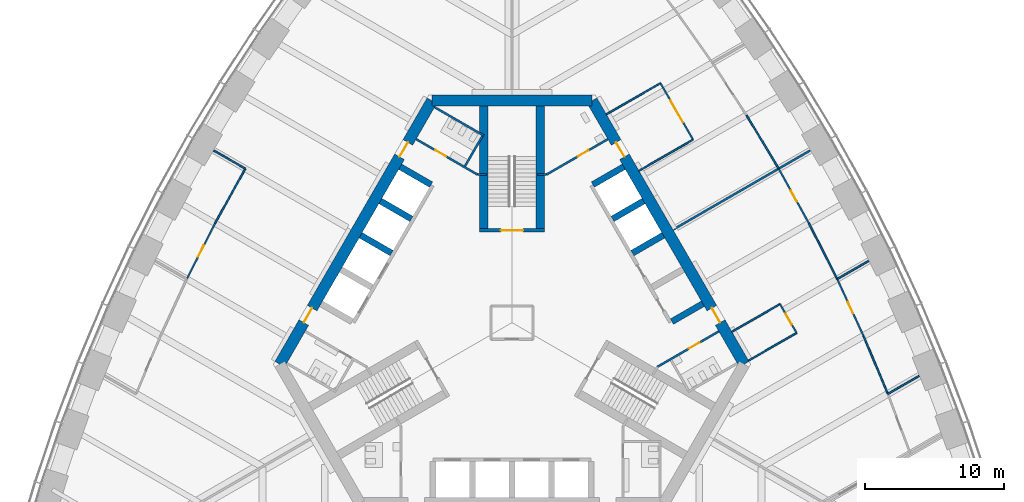
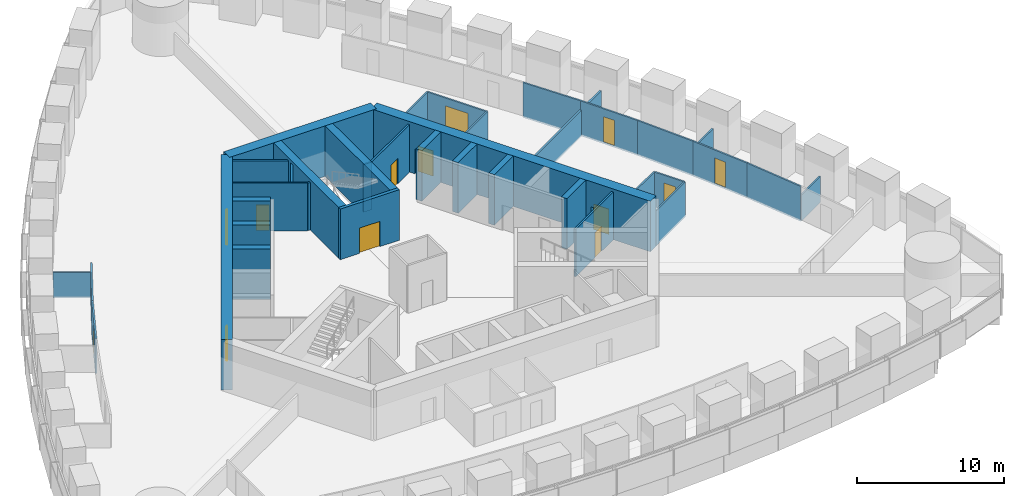
# One storey, part 12 of 18: 37 walls, 13 doors, 13 openings.
"""IFC4 building model written with IfcOpenShell, lengths in metres."""

from ifc_helpers import new_model, si_unit, direction, frame, frame_2d, origin, place, context, subcontext, project, spatial, rectangle, extrude, material, layer, layer_set, type_object, element, fill, save


model = new_model("IFC4")

# Units and contexts
model_context = context("Model", 3, precision=1e-05, world=origin(), true_north=direction((0.0, 1.0)))
body_context = subcontext(model_context, "Body", "Model", "MODEL_VIEW")
ifc_project = project(units=[si_unit("LENGTHUNIT", "METRE"), si_unit("AREAUNIT", "SQUARE_METRE"), si_unit("VOLUMEUNIT", "CUBIC_METRE"), si_unit("PLANEANGLEUNIT", "RADIAN"), si_unit("MASSUNIT", "GRAM", prefix="KILO")], contexts=[model_context])

# Site, building, storey
site_placement = place(None, origin())
site = spatial("IfcSite", under=ifc_project, at=site_placement, CompositionType="ELEMENT")
building_placement = place(site_placement, origin())
building = spatial("IfcBuilding", under=site, at=building_placement, Name="Trefoil Bronze Tower", CompositionType="ELEMENT")
storey_placement = place(building_placement, frame((0.0, 0.0, 174.5)))
storey = spatial("IfcBuildingStorey", under=building, at=storey_placement, Name="L40", CompositionType="ELEMENT", Elevation=174.5)

# Wall, openings, doors
ifc_material_1 = material(Name="Concrete B80", Category="concrete")
ifc_layer_1 = layer(ifc_material_1, 0.800048828125)
ifc_layer_set_1 = layer_set([ifc_layer_1], Name="Core wall 800")
wall_type_1 = type_object("IfcWallType", Name="Core wall 800", PredefinedType="SHEAR", material=ifc_layer_set_1)
wall_1_placement = place(storey_placement, frame((16.7431640625, -3.0, 0.0), z_axis=(0.0, 0.0, 1.0), x_axis=(-0.500002442456, 0.866023993627, 0.0)))
wall_1 = element("IfcWall", 1, at=wall_1_placement, inside=storey, type_object=wall_type_1, Name="Core long wall 2 L40", PredefinedType="SHEAR", context=body_context, shape_type="SweptSolid", body=[
    extrude(rectangle(XDim=21.939453125, YDim=0.800048828125, at=frame_2d((10.9697265625, 0.0))), origin(), (0.0, 0.0, 1.0), 4.199951171875),
])
opening_1_placement = place(wall_1_placement, frame((17.269775390625, 0.0, 0.0)))
opening_1 = element("IfcOpeningElement", 2, at=opening_1_placement, cuts=wall_1, Name="Opening D2", PredefinedType="OPENING", context=body_context, shape_type="SweptSolid", body=[
    extrude(rectangle(XDim=1.199951171875, YDim=2.10009765625, at=frame_2d((0.60009765625, 1.050048828125))), frame((0.0, 0.409912109375, 0.0), z_axis=(0.0, -1.0, 0.0), x_axis=(1.0, 0.0, 0.0)), (0.0, 0.0, 1.0), 0.820068359375),
])
opening_2_placement = place(wall_1_placement, frame((3.4697265625, 0.0, 0.0)))
opening_2 = element("IfcOpeningElement", 3, at=opening_2_placement, cuts=wall_1, Name="Opening D2", PredefinedType="OPENING", context=body_context, shape_type="SweptSolid", body=[
    extrude(rectangle(XDim=1.199951171875, YDim=2.10009765625, at=frame_2d((0.60009765625, 1.050048828125))), frame((0.0, 0.409912109375, 0.0), z_axis=(0.0, -1.0, 0.0), x_axis=(1.0, 0.0, 0.0)), (0.0, 0.0, 1.0), 0.820068359375),
])
ifc_material_2 = material(Name="Steel door", Category="steel")
door_type_1 = type_object("IfcDoorType", Name="Lobby door 1200", OperationType="SINGLE_SWING_RIGHT", PredefinedType="DOOR", material=ifc_material_2)
door_1_placement = place(opening_1_placement, origin())
door_1 = element("IfcDoor", 4, at=door_1_placement, inside=storey, type_object=door_type_1, Name="Lobby door F2+ L40", OperationType="SINGLE_SWING_RIGHT", OverallHeight=2.10009765625, OverallWidth=1.199951171875, PredefinedType="DOOR", context=body_context, shape_type="SweptSolid", body=[
    extrude(rectangle(XDim=1.199951171875, YDim=2.10009765625, at=frame_2d((0.60009765625, 1.050048828125))), frame((0.0, 0.02490234375, 0.0), z_axis=(0.0, -1.0, 0.0), x_axis=(1.0, 0.0, 0.0)), (0.0, 0.0, 1.0), 0.050048828125),
])
fill(opening_1, door_1)
door_2_placement = place(opening_2_placement, origin())
door_2 = element("IfcDoor", 5, at=door_2_placement, inside=storey, type_object=door_type_1, Name="Lobby door F2- L40", OperationType="SINGLE_SWING_LEFT", OverallHeight=2.10009765625, OverallWidth=1.199951171875, PredefinedType="DOOR", context=body_context, shape_type="SweptSolid", body=[
    extrude(rectangle(XDim=1.199951171875, YDim=2.10009765625, at=frame_2d((0.60009765625, 1.050048828125))), frame((0.0, 0.02490234375, 0.0), z_axis=(0.0, -1.0, 0.0), x_axis=(1.0, 0.0, 0.0)), (0.0, 0.0, 1.0), 0.050048828125),
])
fill(opening_2, door_2)

# Wall
wall_2_placement = place(storey_placement, frame((5.7734375, 16.0, 0.0), z_axis=(0.0, 0.0, 1.0), x_axis=(-1.0, 0.0, 0.0)))
element("IfcWall", 6, at=wall_2_placement, inside=storey, type_object=wall_type_1, Name="Core short wall 2 L40", PredefinedType="SHEAR", context=body_context, shape_type="SweptSolid", body=[
    extrude(rectangle(XDim=11.546875, YDim=0.800048828125, at=frame_2d((5.7734375, 0.0))), origin(), (0.0, 0.0, 1.0), 4.199951171875),
])

# Wall, openings, doors
wall_3_placement = place(storey_placement, frame((-5.7734375, 16.0, 0.0), z_axis=(0.0, 0.0, 1.0), x_axis=(-0.500002442456, -0.866023993627, 0.0)))
wall_3 = element("IfcWall", 7, at=wall_3_placement, inside=storey, type_object=wall_type_1, Name="Core long wall 3 L40", PredefinedType="SHEAR", context=body_context, shape_type="SweptSolid", body=[
    extrude(rectangle(XDim=21.939453125, YDim=0.800048828125, at=frame_2d((10.9697265625, 0.0))), origin(), (0.0, 0.0, 1.0), 4.199951171875),
])
opening_3_placement = place(wall_3_placement, frame((17.269775390625, 0.0, 0.0)))
opening_3 = element("IfcOpeningElement", 8, at=opening_3_placement, cuts=wall_3, Name="Opening D2", PredefinedType="OPENING", context=body_context, shape_type="SweptSolid", body=[
    extrude(rectangle(XDim=1.199951171875, YDim=2.10009765625, at=frame_2d((0.60009765625, 1.050048828125))), frame((0.0, 0.409912109375, 0.0), z_axis=(0.0, -1.0, 0.0), x_axis=(1.0, 0.0, 0.0)), (0.0, 0.0, 1.0), 0.820068359375),
])
opening_4_placement = place(wall_3_placement, frame((3.4697265625, 0.0, 0.0)))
opening_4 = element("IfcOpeningElement", 9, at=opening_4_placement, cuts=wall_3, Name="Opening D2", PredefinedType="OPENING", context=body_context, shape_type="SweptSolid", body=[
    extrude(rectangle(XDim=1.199951171875, YDim=2.10009765625, at=frame_2d((0.60009765625, 1.050048828125))), frame((0.0, 0.409912109375, 0.0), z_axis=(0.0, -1.0, 0.0), x_axis=(1.0, 0.0, 0.0)), (0.0, 0.0, 1.0), 0.820068359375),
])
door_3_placement = place(opening_3_placement, origin())
door_3 = element("IfcDoor", 10, at=door_3_placement, inside=storey, type_object=door_type_1, Name="Lobby door F3+ L40", OperationType="SINGLE_SWING_RIGHT", OverallHeight=2.10009765625, OverallWidth=1.199951171875, PredefinedType="DOOR", context=body_context, shape_type="SweptSolid", body=[
    extrude(rectangle(XDim=1.199951171875, YDim=2.10009765625, at=frame_2d((0.60009765625, 1.050048828125))), frame((0.0, 0.02490234375, 0.0), z_axis=(0.0, -1.0, 0.0), x_axis=(1.0, 0.0, 0.0)), (0.0, 0.0, 1.0), 0.050048828125),
])
fill(opening_3, door_3)
door_4_placement = place(opening_4_placement, origin())
door_4 = element("IfcDoor", 11, at=door_4_placement, inside=storey, type_object=door_type_1, Name="Lobby door F3- L40", OperationType="SINGLE_SWING_LEFT", OverallHeight=2.10009765625, OverallWidth=1.199951171875, PredefinedType="DOOR", context=body_context, shape_type="SweptSolid", body=[
    extrude(rectangle(XDim=1.199951171875, YDim=2.10009765625, at=frame_2d((0.60009765625, 1.050048828125))), frame((0.0, 0.02490234375, 0.0), z_axis=(0.0, -1.0, 0.0), x_axis=(1.0, 0.0, 0.0)), (0.0, 0.0, 1.0), 0.050048828125),
])
fill(opening_4, door_4)

# Wall, opening, door
ifc_material_3 = material(Name="Glazed partition", Category="glass")
ifc_layer_2 = layer(ifc_material_3, 0.1201171875)
ifc_layer_set_2 = layer_set([ifc_layer_2], Name="Glazed partition 120")
wall_type_2 = type_object("IfcWallType", Name="Glazed partition 120", PredefinedType="PARTITIONING", material=ifc_layer_set_2)
wall_4_placement = place(storey_placement, frame((13.0517578125, 13.193603515625, 0.0), z_axis=(0.0, 0.0, 1.0), x_axis=(-0.499977259774, 0.866038532462, 0.0)))
wall_4 = element("IfcWall", 12, at=wall_4_placement, inside=storey, type_object=wall_type_2, Name="Partition F2 L40", PredefinedType="PARTITIONING", context=body_context, shape_type="SweptSolid", body=[
    extrude(rectangle(XDim=4.699951171875, YDim=0.1201171875, at=frame_2d((2.35009765625, 0.0))), origin(), (0.0, 0.0, 1.0), 2.89990234375),
])
opening_5_placement = place(wall_4_placement, frame((1.449951171875, 0.0, 0.14990234375)))
opening_5 = element("IfcOpeningElement", 13, at=opening_5_placement, cuts=wall_4, Name="Opening D10", PredefinedType="OPENING", context=body_context, shape_type="SweptSolid", body=[
    extrude(rectangle(XDim=1.800048828125, YDim=2.10009765625, at=frame_2d((0.89990234375, 1.050048828125))), frame((0.0, 0.070068359375, 0.0), z_axis=(0.0, -1.0, 0.0), x_axis=(1.0, 0.0, 0.0)), (0.0, 0.0, 1.0), 0.14013671875),
])
ifc_material_4 = material(Name="Timber door", Category="wood")
door_type_2 = type_object("IfcDoorType", Name="Double door 1800", OperationType="DOUBLE_DOOR_SINGLE_SWING", PredefinedType="DOOR", material=ifc_material_4)
door_5_placement = place(opening_5_placement, frame((1.800048828125, 0.0, 0.0), z_axis=(0.0, 0.0, 1.0), x_axis=(-1.0, 0.0, 0.0)))
door_5 = element("IfcDoor", 14, at=door_5_placement, inside=storey, type_object=door_type_2, Name="Reception door F2 L40", OperationType="DOUBLE_DOOR_SINGLE_SWING", OverallHeight=2.10009765625, OverallWidth=1.800048828125, PredefinedType="DOOR", context=body_context, shape_type="SweptSolid", body=[
    extrude(rectangle(XDim=1.800048828125, YDim=2.10009765625, at=frame_2d((0.89990234375, 1.050048828125))), frame((0.0, 0.02490234375, 0.0), z_axis=(0.0, -1.0, 0.0), x_axis=(1.0, 0.0, 0.0)), (0.0, 0.0, 1.0), 0.050048828125),
])
fill(opening_5, door_5)

wall_5_placement = place(storey_placement, frame((20.518798828125, -0.73974609375, 0.0), z_axis=(0.0, 0.0, 1.0), x_axis=(-0.499957262057, 0.866050077142, 0.0)))
wall_5 = element("IfcWall", 15, at=wall_5_placement, inside=storey, type_object=wall_type_2, Name="Partition F2 L40", PredefinedType="PARTITIONING", context=body_context, shape_type="SweptSolid", body=[
    extrude(rectangle(XDim=2.400146484375, YDim=0.1201171875, at=frame_2d((1.2001953125, 0.0))), origin(), (0.0, 0.0, 1.0), 2.89990234375),
])
opening_6_placement = place(wall_5_placement, frame((0.699951171875, 0.0, 0.14990234375)))
opening_6 = element("IfcOpeningElement", 16, at=opening_6_placement, cuts=wall_5, Name="Opening D8", PredefinedType="OPENING", context=body_context, shape_type="SweptSolid", body=[
    extrude(rectangle(XDim=0.89990234375, YDim=2.10009765625, at=frame_2d((0.449951171875, 1.050048828125))), frame((0.0, 0.070068359375, 0.0), z_axis=(0.0, -1.0, 0.0), x_axis=(1.0, 0.0, 0.0)), (0.0, 0.0, 1.0), 0.14013671875),
])
ifc_material_5 = material(Name="Timber door", Category="wood")
door_type_3 = type_object("IfcDoorType", Name="Office door 900", OperationType="SINGLE_SWING_LEFT", PredefinedType="DOOR", material=ifc_material_5)
door_6_placement = place(opening_6_placement, origin())
door_6 = element("IfcDoor", 17, at=door_6_placement, inside=storey, type_object=door_type_3, Name="Comms room door F2 L40", OperationType="SINGLE_SWING_LEFT", OverallHeight=2.10009765625, OverallWidth=0.89990234375, PredefinedType="DOOR", context=body_context, shape_type="SweptSolid", body=[
    extrude(rectangle(XDim=0.89990234375, YDim=2.10009765625, at=frame_2d((0.449951171875, 1.050048828125))), frame((0.0, 0.02490234375, 0.0), z_axis=(0.0, -1.0, 0.0), x_axis=(1.0, 0.0, 0.0)), (0.0, 0.0, 1.0), 0.050048828125),
])
fill(opening_6, door_6)

# Walls
wall_6_placement = place(storey_placement, frame((9.15478515625, 10.943603515625, 0.0), z_axis=(0.0, 0.0, 1.0), x_axis=(0.866017533419, 0.500013631625, 0.0)))
element("IfcWall", 18, at=wall_6_placement, inside=storey, type_object=wall_type_2, Name="Partition F2 L40", PredefinedType="PARTITIONING", context=body_context, shape_type="SweptSolid", body=[
    extrude(rectangle(XDim=4.499755859375, YDim=0.1201171875, at=frame_2d((2.25, 0.0))), origin(), (0.0, 0.0, 1.0), 2.89990234375),
])
wall_7_placement = place(storey_placement, frame((6.8046875, 15.013916015625, 0.0), z_axis=(0.0, 0.0, 1.0), x_axis=(0.866031096941, 0.499990139034, 0.0)))
element("IfcWall", 19, at=wall_7_placement, inside=storey, type_object=wall_type_2, Name="Partition F2 L40", PredefinedType="PARTITIONING", context=body_context, shape_type="SweptSolid", body=[
    extrude(rectangle(XDim=4.5, YDim=0.1201171875, at=frame_2d((2.25, 0.0))), origin(), (0.0, 0.0, 1.0), 2.89990234375),
])
for number, where, z_axis, x_axis, name in (
    (20, (17.0546875, -2.73974609375, 0.0), (0.0, 0.0, 1.0), (0.866026010844, 0.49999894854, 0.0), "Partition F2 L40"),
    (21, (15.854736328125, -0.6611328125, 0.0), (0.0, 0.0, 1.0), (0.866026010844, 0.49999894854, 0.0), "Partition F2 L40"),
):
    element("IfcWall", number, at=place(storey_placement, frame(where, z_axis=z_axis, x_axis=x_axis)), inside=storey, type_object=wall_type_2, Name=name, PredefinedType="PARTITIONING", context=body_context, shape_type="SweptSolid", body=[
        extrude(rectangle(XDim=4.0, YDim=0.1201171875, at=frame_2d((2.0, 0.0))), origin(), (0.0, 0.0, 1.0), 2.89990234375),
    ])
wall_8_placement = place(storey_placement, frame((19.2255859375, 11.099853515625, 0.0), z_axis=(0.0, 0.0, 1.0), x_axis=(-0.515548366618, 0.856860479703, 0.0)))
element("IfcWall", 22, at=wall_8_placement, inside=storey, type_object=wall_type_2, Name="Partition F2 L40", PredefinedType="PARTITIONING", context=body_context, shape_type="SweptSolid", body=[
    extrude(rectangle(XDim=4.500732421875, YDim=0.1201171875, at=frame_2d((2.25048828125, 0.0))), origin(), (0.0, 0.0, 1.0), 2.89990234375),
])

# Wall, opening, door
wall_9_placement = place(storey_placement, frame((25.341552734375, -0.95751953125, 0.0), z_axis=(0.0, 0.0, 1.0), x_axis=(-0.419883773418, 0.907577884713, 0.0)))
wall_9 = element("IfcWall", 23, at=wall_9_placement, inside=storey, type_object=wall_type_2, Name="Partition F2 L40", PredefinedType="PARTITIONING", context=body_context, shape_type="SweptSolid", body=[
    extrude(rectangle(XDim=4.5185546875, YDim=0.1201171875, at=frame_2d((2.25927734375, 0.0))), origin(), (0.0, 0.0, 1.0), 2.89990234375),
])
opening_7_placement = place(wall_9_placement, frame((1.800048828125, 0.0, 0.14990234375)))
opening_7 = element("IfcOpeningElement", 24, at=opening_7_placement, cuts=wall_9, Name="Opening D8", PredefinedType="OPENING", context=body_context, shape_type="SweptSolid", body=[
    extrude(rectangle(XDim=0.89990234375, YDim=2.10009765625, at=frame_2d((0.449951171875, 1.050048828125))), frame((0.0, 0.070068359375, 0.0), z_axis=(0.0, -1.0, 0.0), x_axis=(1.0, 0.0, 0.0)), (0.0, 0.0, 1.0), 0.14013671875),
])
door_7_placement = place(opening_7_placement, frame((0.89990234375, 0.0, 0.0), z_axis=(0.0, 0.0, 1.0), x_axis=(-1.0, 0.0, 0.0)))
door_7 = element("IfcDoor", 25, at=door_7_placement, inside=storey, type_object=door_type_3, Name="Executive office door F2 L40", OperationType="SINGLE_SWING_RIGHT", OverallHeight=2.10009765625, OverallWidth=0.89990234375, PredefinedType="DOOR", context=body_context, shape_type="SweptSolid", body=[
    extrude(rectangle(XDim=0.89990234375, YDim=2.10009765625, at=frame_2d((0.449951171875, 1.050048828125))), frame((0.0, 0.02490234375, 0.0), z_axis=(0.0, -1.0, 0.0), x_axis=(1.0, 0.0, 0.0)), (0.0, 0.0, 1.0), 0.050048828125),
])
fill(opening_7, door_7)

# Wall
wall_10_placement = place(storey_placement, frame((27.09619140625, -5.140625, 0.0), z_axis=(0.0, 0.0, 1.0), x_axis=(-0.386807881778, 0.922160323693, 0.0)))
element("IfcWall", 26, at=wall_10_placement, inside=storey, type_object=wall_type_2, Name="Partition F2 L40", PredefinedType="PARTITIONING", context=body_context, shape_type="SweptSolid", body=[
    extrude(rectangle(XDim=4.5361328125, YDim=0.1201171875, at=frame_2d((2.26806640625, 0.0))), origin(), (0.0, 0.0, 1.0), 2.89990234375),
])

# Wall, opening, door
wall_11_placement = place(storey_placement, frame((21.4052734375, 7.162109375, 0.0), z_axis=(0.0, 0.0, 1.0), x_axis=(-0.484292898211, 0.874905931368, 0.0)))
wall_11 = element("IfcWall", 27, at=wall_11_placement, inside=storey, type_object=wall_type_2, Name="Partition F2 L40", PredefinedType="PARTITIONING", context=body_context, shape_type="SweptSolid", body=[
    extrude(rectangle(XDim=4.500732421875, YDim=0.1201171875, at=frame_2d((2.25048828125, 0.0))), origin(), (0.0, 0.0, 1.0), 2.89990234375),
])
opening_8_placement = place(wall_11_placement, frame((1.800048828125, 0.0, 0.14990234375)))
opening_8 = element("IfcOpeningElement", 28, at=opening_8_placement, cuts=wall_11, Name="Opening D8", PredefinedType="OPENING", context=body_context, shape_type="SweptSolid", body=[
    extrude(rectangle(XDim=0.89990234375, YDim=2.10009765625, at=frame_2d((0.449951171875, 1.050048828125))), frame((0.0, 0.070068359375, 0.0), z_axis=(0.0, -1.0, 0.0), x_axis=(1.0, 0.0, 0.0)), (0.0, 0.0, 1.0), 0.14013671875),
])
door_8_placement = place(opening_8_placement, frame((0.89990234375, 0.0, 0.0), z_axis=(0.0, 0.0, 1.0), x_axis=(-1.0, 0.0, 0.0)))
door_8 = element("IfcDoor", 29, at=door_8_placement, inside=storey, type_object=door_type_3, Name="Executive office door F2 L40", OperationType="SINGLE_SWING_RIGHT", OverallHeight=2.10009765625, OverallWidth=0.89990234375, PredefinedType="DOOR", context=body_context, shape_type="SweptSolid", body=[
    extrude(rectangle(XDim=0.89990234375, YDim=2.10009765625, at=frame_2d((0.449951171875, 1.050048828125))), frame((0.0, 0.02490234375, 0.0), z_axis=(0.0, -1.0, 0.0), x_axis=(1.0, 0.0, 0.0)), (0.0, 0.0, 1.0), 0.050048828125),
])
fill(opening_8, door_8)

# Walls
wall_12_placement = place(storey_placement, frame((23.4443359375, 3.143310546875, 0.0), z_axis=(0.0, 0.0, 1.0), x_axis=(-0.452471679136, 0.891778772779, 0.0)))
element("IfcWall", 30, at=wall_12_placement, inside=storey, type_object=wall_type_2, Name="Partition F2 L40", PredefinedType="PARTITIONING", context=body_context, shape_type="SweptSolid", body=[
    extrude(rectangle(XDim=4.506591796875, YDim=0.1201171875, at=frame_2d((2.25341796875, 0.0))), origin(), (0.0, 0.0, 1.0), 2.89990234375),
])
wall_13_placement = place(storey_placement, frame((27.09619140625, -5.140625, 0.0), z_axis=(0.0, 0.0, 1.0), x_axis=(0.866012205188, 0.500022859943, 0.0)))
element("IfcWall", 31, at=wall_13_placement, inside=storey, type_object=wall_type_2, Name="Partition F2 L40", PredefinedType="PARTITIONING", context=body_context, shape_type="SweptSolid", body=[
    extrude(rectangle(XDim=2.60302734375, YDim=0.1201171875, at=frame_2d((1.301513671875, 0.0))), origin(), (0.0, 0.0, 1.0), 2.14990234375),
])
wall_14_placement = place(storey_placement, frame((23.4443359375, 3.143310546875, 0.0), z_axis=(0.0, 0.0, 1.0), x_axis=(0.866011491631, 0.500024095782, 0.0)))
element("IfcWall", 32, at=wall_14_placement, inside=storey, type_object=wall_type_2, Name="Partition F2 L40", PredefinedType="PARTITIONING", context=body_context, shape_type="SweptSolid", body=[
    extrude(rectangle(XDim=2.615478515625, YDim=0.1201171875, at=frame_2d((1.3076171875, 0.0))), origin(), (0.0, 0.0, 1.0), 2.35009765625),
])
wall_15_placement = place(storey_placement, frame((-19.2255859375, 11.099853515625, 0.0), z_axis=(0.0, 0.0, 1.0), x_axis=(-0.484292898211, -0.874905931368, 0.0)))
element("IfcWall", 33, at=wall_15_placement, inside=storey, type_object=wall_type_2, Name="Partition F3 L40", PredefinedType="PARTITIONING", context=body_context, shape_type="SweptSolid", body=[
    extrude(rectangle(XDim=4.500732421875, YDim=0.1201171875, at=frame_2d((2.25048828125, 0.0))), origin(), (0.0, 0.0, 1.0), 2.89990234375),
])

# Wall, opening, door
wall_16_placement = place(storey_placement, frame((-21.4052734375, 7.162109375, 0.0), z_axis=(0.0, 0.0, 1.0), x_axis=(-0.452471679136, -0.891778772779, 0.0)))
wall_16 = element("IfcWall", 34, at=wall_16_placement, inside=storey, type_object=wall_type_2, Name="Partition F3 L40", PredefinedType="PARTITIONING", context=body_context, shape_type="SweptSolid", body=[
    extrude(rectangle(XDim=4.506591796875, YDim=0.1201171875, at=frame_2d((2.25341796875, 0.0))), origin(), (0.0, 0.0, 1.0), 2.89990234375),
])
opening_9_placement = place(wall_16_placement, frame((1.800048828125, 0.0, 0.14990234375)))
opening_9 = element("IfcOpeningElement", 35, at=opening_9_placement, cuts=wall_16, Name="Opening D8", PredefinedType="OPENING", context=body_context, shape_type="SweptSolid", body=[
    extrude(rectangle(XDim=0.89990234375, YDim=2.10009765625, at=frame_2d((0.449951171875, 1.050048828125))), frame((0.0, 0.070068359375, 0.0), z_axis=(0.0, -1.0, 0.0), x_axis=(1.0, 0.0, 0.0)), (0.0, 0.0, 1.0), 0.14013671875),
])
door_9_placement = place(opening_9_placement, frame((0.89990234375, 0.0, 0.0), z_axis=(0.0, 0.0, 1.0), x_axis=(-1.0, 0.0, 0.0)))
door_9 = element("IfcDoor", 36, at=door_9_placement, inside=storey, type_object=door_type_3, Name="Executive office door F3 L40", OperationType="SINGLE_SWING_RIGHT", OverallHeight=2.10009765625, OverallWidth=0.89990234375, PredefinedType="DOOR", context=body_context, shape_type="SweptSolid", body=[
    extrude(rectangle(XDim=0.89990234375, YDim=2.10009765625, at=frame_2d((0.449951171875, 1.050048828125))), frame((0.0, 0.02490234375, 0.0), z_axis=(0.0, -1.0, 0.0), x_axis=(1.0, 0.0, 0.0)), (0.0, 0.0, 1.0), 0.050048828125),
])
fill(opening_9, door_9)

# Walls
wall_17_placement = place(storey_placement, frame((-19.2255859375, 11.099853515625, 0.0), z_axis=(0.0, 0.0, 1.0), x_axis=(-0.865997804006, 0.500047801172, 0.0)))
element("IfcWall", 37, at=wall_17_placement, inside=storey, type_object=wall_type_2, Name="Partition F3 L40", PredefinedType="PARTITIONING", context=body_context, shape_type="SweptSolid", body=[
    extrude(rectangle(XDim=2.619873046875, YDim=0.1201171875, at=frame_2d((1.31005859375, 0.0))), origin(), (0.0, 0.0, 1.0), 2.14990234375),
])
ifc_material_6 = material(Name="Concrete B80", Category="concrete")
ifc_layer_3 = layer(ifc_material_6, 0.449951171875)
ifc_layer_set_3 = layer_set([ifc_layer_3], Name="Outrigger shaft wall 450")
wall_type_3 = type_object("IfcWallType", Name="Outrigger shaft wall 450", PredefinedType="SHEAR", material=ifc_layer_set_3)
for number, where, z_axis, x_axis, name in (
    (38, (11.531982421875, 0.076171875, 0.0), (0.0, 0.0, 1.0), (0.866005588531, 0.500034319456, 0.0), "Lift shaft side wall B0 L40"),
    (39, (8.681884765625, 5.012451171875, 0.0), (0.0, 0.0, 1.0), (0.866005588531, 0.500034319456, 0.0), "Lift shaft side wall B2 L40"),
    (40, (7.2568359375, 7.480712890625, 0.0), (0.0, 0.0, 1.0), (0.866046643894, 0.499963209246, 0.0), "Lift shaft side wall B3 L40"),
):
    element("IfcWall", number, at=place(storey_placement, frame(where, z_axis=z_axis, x_axis=x_axis)), inside=storey, type_object=wall_type_3, Name=name, PredefinedType="SHEAR", context=body_context, shape_type="SweptSolid", body=[
        extrude(rectangle(XDim=2.574951171875, YDim=0.449951171875, at=frame_2d((1.28759765625, 0.0))), origin(), (0.0, 0.0, 1.0), 4.199951171875),
    ])
for number, where, z_axis, x_axis, name in (
    (41, (5.831787109375, 9.94873046875, 0.0), (0.0, 0.0, 1.0), (0.866029291668, 0.499993265928, 0.0), "Lift shaft side wall B4 L40"),
    (42, (-5.831787109375, 9.94873046875, 0.0), (0.0, 0.0, 1.0), (-0.866029291668, 0.499993265928, 0.0), "Lift shaft side wall C0 L40"),
):
    element("IfcWall", number, at=place(storey_placement, frame(where, z_axis=z_axis, x_axis=x_axis)), inside=storey, type_object=wall_type_3, Name=name, PredefinedType="SHEAR", context=body_context, shape_type="SweptSolid", body=[
        extrude(rectangle(XDim=2.5751953125, YDim=0.449951171875, at=frame_2d((1.28759765625, 0.0))), origin(), (0.0, 0.0, 1.0), 4.199951171875),
    ])
for number, where, z_axis, x_axis, name in (
    (43, (-7.2568359375, 7.480712890625, 0.0), (0.0, 0.0, 1.0), (-0.866046643894, 0.499963209246, 0.0), "Lift shaft side wall C1 L40"),
    (44, (-8.681884765625, 5.012451171875, 0.0), (0.0, 0.0, 1.0), (-0.866005588531, 0.500034319456, 0.0), "Lift shaft side wall C2 L40"),
):
    element("IfcWall", number, at=place(storey_placement, frame(where, z_axis=z_axis, x_axis=x_axis)), inside=storey, type_object=wall_type_3, Name=name, PredefinedType="SHEAR", context=body_context, shape_type="SweptSolid", body=[
        extrude(rectangle(XDim=2.574951171875, YDim=0.449951171875, at=frame_2d((1.28759765625, 0.0))), origin(), (0.0, 0.0, 1.0), 4.199951171875),
    ])

# Wall, opening, door
ifc_material_7 = material(Name="Gypsum board on steel studs", Category="steel")
ifc_layer_4 = layer(ifc_material_7, 0.14990234375)
ifc_layer_set_4 = layer_set([ifc_layer_4], Name="Partition 150")
wall_type_4 = type_object("IfcWallType", Name="Partition 150", PredefinedType="PARTITIONING", material=ifc_layer_set_4)
wall_18_placement = place(storey_placement, frame((2.4951171875, 10.67822265625, 0.0), z_axis=(0.0, 0.0, 1.0), x_axis=(0.86602216432, 0.500005610874, 0.0)))
wall_18 = element("IfcWall", 45, at=wall_18_placement, inside=storey, type_object=wall_type_4, Name="Passage wall F2+ L40", PredefinedType="PARTITIONING", context=body_context, shape_type="SweptSolid", body=[
    extrude(rectangle(XDim=5.10009765625, YDim=0.14990234375, at=frame_2d((2.550048828125, 0.0))), origin(), (0.0, 0.0, 1.0), 3.949951171875),
])
opening_10_placement = place(wall_18_placement, frame((2.60009765625, 0.0, 0.0)))
opening_10 = element("IfcOpeningElement", 46, at=opening_10_placement, cuts=wall_18, Name="Opening D3", PredefinedType="OPENING", context=body_context, shape_type="SweptSolid", body=[
    extrude(rectangle(XDim=0.89990234375, YDim=2.10009765625, at=frame_2d((0.449951171875, 1.050048828125))), frame((0.0, 0.0849609375, 0.0), z_axis=(0.0, -1.0, 0.0), x_axis=(1.0, 0.0, 0.0)), (0.0, 0.0, 1.0), 0.169921875),
])
ifc_material_8 = material(Name="Timber door", Category="wood")
door_type_4 = type_object("IfcDoorType", Name="WC door 900", OperationType="SINGLE_SWING_LEFT", PredefinedType="DOOR", material=ifc_material_8)
door_10_placement = place(opening_10_placement, origin())
door_10 = element("IfcDoor", 47, at=door_10_placement, inside=storey, type_object=door_type_4, Name="Accessible WC door L40", OperationType="SINGLE_SWING_RIGHT", OverallHeight=2.10009765625, OverallWidth=0.89990234375, PredefinedType="DOOR", context=body_context, shape_type="SweptSolid", body=[
    extrude(rectangle(XDim=0.89990234375, YDim=2.10009765625, at=frame_2d((0.449951171875, 1.050048828125))), frame((0.0, 0.02490234375, 0.0), z_axis=(0.0, -1.0, 0.0), x_axis=(1.0, 0.0, 0.0)), (0.0, 0.0, 1.0), 0.050048828125),
])
fill(opening_10, door_10)

wall_19_placement = place(storey_placement, frame((10.4951171875, -3.17822265625, 0.0), z_axis=(0.0, 0.0, 1.0), x_axis=(0.86602216432, 0.500005610874, 0.0)))
wall_19 = element("IfcWall", 48, at=wall_19_placement, inside=storey, type_object=wall_type_4, Name="Passage wall F2- L40", PredefinedType="PARTITIONING", context=body_context, shape_type="SweptSolid", body=[
    extrude(rectangle(XDim=5.10009765625, YDim=0.14990234375, at=frame_2d((2.550048828125, 0.0))), origin(), (0.0, 0.0, 1.0), 3.949951171875),
])
opening_11_placement = place(wall_19_placement, frame((2.60009765625, 0.0, 0.0)))
opening_11 = element("IfcOpeningElement", 49, at=opening_11_placement, cuts=wall_19, Name="Opening D3", PredefinedType="OPENING", context=body_context, shape_type="SweptSolid", body=[
    extrude(rectangle(XDim=0.89990234375, YDim=2.10009765625, at=frame_2d((0.449951171875, 1.050048828125))), frame((0.0, 0.0849609375, 0.0), z_axis=(0.0, -1.0, 0.0), x_axis=(1.0, 0.0, 0.0)), (0.0, 0.0, 1.0), 0.169921875),
])
door_11_placement = place(opening_11_placement, frame((0.89990234375, 0.0, 0.0), z_axis=(0.0, 0.0, 1.0), x_axis=(-1.0, 0.0, 0.0)))
door_11 = element("IfcDoor", 50, at=door_11_placement, inside=storey, type_object=door_type_4, Name="WC (women) door L40", OperationType="SINGLE_SWING_RIGHT", OverallHeight=2.10009765625, OverallWidth=0.89990234375, PredefinedType="DOOR", context=body_context, shape_type="SweptSolid", body=[
    extrude(rectangle(XDim=0.89990234375, YDim=2.10009765625, at=frame_2d((0.449951171875, 1.050048828125))), frame((0.0, 0.02490234375, 0.0), z_axis=(0.0, -1.0, 0.0), x_axis=(1.0, 0.0, 0.0)), (0.0, 0.0, 1.0), 0.050048828125),
])
fill(opening_11, door_11)

wall_20_placement = place(storey_placement, frame((-2.4951171875, 10.67822265625, 0.0), z_axis=(0.0, 0.0, 1.0), x_axis=(-0.86602216432, 0.500005610874, 0.0)))
wall_20 = element("IfcWall", 51, at=wall_20_placement, inside=storey, type_object=wall_type_4, Name="Passage wall F3- L40", PredefinedType="PARTITIONING", context=body_context, shape_type="SweptSolid", body=[
    extrude(rectangle(XDim=5.10009765625, YDim=0.14990234375, at=frame_2d((2.550048828125, 0.0))), origin(), (0.0, 0.0, 1.0), 3.949951171875),
])
opening_12_placement = place(wall_20_placement, frame((2.60009765625, 0.0, 0.0)))
opening_12 = element("IfcOpeningElement", 52, at=opening_12_placement, cuts=wall_20, Name="Opening D3", PredefinedType="OPENING", context=body_context, shape_type="SweptSolid", body=[
    extrude(rectangle(XDim=0.89990234375, YDim=2.10009765625, at=frame_2d((0.449951171875, 1.050048828125))), frame((0.0, 0.0849609375, 0.0), z_axis=(0.0, -1.0, 0.0), x_axis=(1.0, 0.0, 0.0)), (0.0, 0.0, 1.0), 0.169921875),
])
door_12_placement = place(opening_12_placement, frame((0.89990234375, 0.0, 0.0), z_axis=(0.0, 0.0, 1.0), x_axis=(-1.0, 0.0, 0.0)))
door_12 = element("IfcDoor", 53, at=door_12_placement, inside=storey, type_object=door_type_4, Name="WC (women) door L40", OperationType="SINGLE_SWING_RIGHT", OverallHeight=2.10009765625, OverallWidth=0.89990234375, PredefinedType="DOOR", context=body_context, shape_type="SweptSolid", body=[
    extrude(rectangle(XDim=0.89990234375, YDim=2.10009765625, at=frame_2d((0.449951171875, 1.050048828125))), frame((0.0, 0.02490234375, 0.0), z_axis=(0.0, -1.0, 0.0), x_axis=(1.0, 0.0, 0.0)), (0.0, 0.0, 1.0), 0.050048828125),
])
fill(opening_12, door_12)

# Walls
for number, where, z_axis, x_axis, name in (
    (54, (2.4951171875, 10.67822265625, 0.0), (0.0, 0.0, 1.0), (-1.0, 0.0, 0.0), "WC wall ST2-1 L40"),
    (55, (-2.4951171875, 10.67822265625, 0.0), (0.0, 0.0, 1.0), (1.0, 0.0, 0.0), "WC wall ST2+1 L40"),
):
    element("IfcWall", number, at=place(storey_placement, frame(where, z_axis=z_axis, x_axis=x_axis)), inside=storey, type_object=wall_type_4, Name=name, PredefinedType="PARTITIONING", context=body_context, shape_type="SweptSolid", body=[
        extrude(rectangle(XDim=0.64501953125, YDim=0.14990234375, at=frame_2d((0.322509765625, 0.0))), origin(), (0.0, 0.0, 1.0), 3.949951171875),
    ])
wall_21_placement = place(storey_placement, frame((-2.03125, 13.48193359375, 0.0), z_axis=(0.0, 0.0, 1.0), x_axis=(-0.866050731258, 0.499956128963, 0.0)))
element("IfcWall", 56, at=wall_21_placement, inside=storey, type_object=wall_type_4, Name="WC partition WC (women) L40", PredefinedType="PARTITIONING", context=body_context, shape_type="SweptSolid", body=[
    extrude(rectangle(XDim=4.099853515625, YDim=0.14990234375, at=frame_2d((2.0498046875, 0.0))), origin(), (0.0, 0.0, 1.0), 3.949951171875),
])
wall_22_placement = place(storey_placement, frame((-3.388671875, 11.28076171875, 0.0), z_axis=(0.0, 0.0, 1.0), x_axis=(0.499989096993, 0.866031698547, 0.0)))
element("IfcWall", 57, at=wall_22_placement, inside=storey, type_object=wall_type_4, Name="WC partition WC (women) L40", PredefinedType="PARTITIONING", context=body_context, shape_type="SweptSolid", body=[
    extrude(rectangle(XDim=2.509765625, YDim=0.14990234375, at=frame_2d((1.2548828125, 0.0))), origin(), (0.0, 0.0, 1.0), 3.949951171875),
])
ifc_material_9 = material(Name="Gypsum board on steel studs", Category="steel")
ifc_layer_5 = layer(ifc_material_9, 0.14990234375)
ifc_layer_set_5 = layer_set([ifc_layer_5], Name="Party wall 150")
wall_type_5 = type_object("IfcWallType", Name="Party wall 150", PredefinedType="PARTITIONING", material=ifc_layer_set_5)
wall_23_placement = place(storey_placement, frame((11.61328125, 6.705078125, 0.0), z_axis=(0.0, 0.0, 1.0), x_axis=(0.866026306654, 0.499998436182, 0.0)))
element("IfcWall", 58, at=wall_23_placement, inside=storey, type_object=wall_type_5, Name="Demising wall F2 L40", PredefinedType="PARTITIONING", context=body_context, shape_type="SweptSolid", body=[
    extrude(rectangle(XDim=11.40966796875, YDim=0.14990234375, at=frame_2d((5.704833984375, 0.0))), origin(), (0.0, 0.0, 1.0), 2.14990234375),
])

# Wall, opening, door
ifc_material_10 = material(Name="Concrete B80", Category="concrete")
ifc_layer_6 = layer(ifc_material_10, 0.25)
ifc_layer_set_6 = layer_set([ifc_layer_6], Name="Shaft wall 250")
wall_type_6 = type_object("IfcWallType", Name="Shaft wall 250", PredefinedType="SHEAR", material=ifc_layer_set_6)
wall_24_placement = place(storey_placement, frame((2.324951171875, 6.64990234375, 0.0), z_axis=(0.0, 0.0, 1.0), x_axis=(-1.0, 0.0, 0.0)))
wall_24 = element("IfcWall", 59, at=wall_24_placement, inside=storey, type_object=wall_type_6, Name="Stair end wall ST2 L40", PredefinedType="SHEAR", context=body_context, shape_type="SweptSolid", body=[
    extrude(rectangle(XDim=4.64990234375, YDim=0.25, at=frame_2d((2.324951171875, 0.0))), origin(), (0.0, 0.0, 1.0), 4.199951171875),
])
opening_13_placement = place(wall_24_placement, frame((1.52490234375, 0.0, 0.0)))
opening_13 = element("IfcOpeningElement", 60, at=opening_13_placement, cuts=wall_24, Name="Opening D1", PredefinedType="OPENING", context=body_context, shape_type="SweptSolid", body=[
    extrude(rectangle(XDim=1.60009765625, YDim=2.10009765625, at=frame_2d((0.800048828125, 1.050048828125))), frame((0.0, 0.135009765625, 0.0), z_axis=(0.0, -1.0, 0.0), x_axis=(1.0, 0.0, 0.0)), (0.0, 0.0, 1.0), 0.27001953125),
])
ifc_material_11 = material(Name="Steel door", Category="steel")
door_type_5 = type_object("IfcDoorType", Name="Stair door 1600", OperationType="DOUBLE_DOOR_SINGLE_SWING", PredefinedType="DOOR", material=ifc_material_11)
door_13_placement = place(opening_13_placement, frame((1.60009765625, 0.0, 0.0), z_axis=(0.0, 0.0, 1.0), x_axis=(-1.0, 0.0, 0.0)))
door_13 = element("IfcDoor", 61, at=door_13_placement, inside=storey, type_object=door_type_5, Name="Stair door ST2 L40", OperationType="DOUBLE_DOOR_SINGLE_SWING", OverallHeight=2.10009765625, OverallWidth=1.60009765625, PredefinedType="DOOR", context=body_context, shape_type="SweptSolid", body=[
    extrude(rectangle(XDim=1.60009765625, YDim=2.10009765625, at=frame_2d((0.800048828125, 1.050048828125))), frame((0.0, 0.02490234375, 0.0), z_axis=(0.0, -1.0, 0.0), x_axis=(1.0, 0.0, 0.0)), (0.0, 0.0, 1.0), 0.050048828125),
])
fill(opening_13, door_13)

# Walls
ifc_material_12 = material(Name="Concrete B80", Category="concrete")
ifc_layer_7 = layer(ifc_material_12, 0.60009765625)
ifc_layer_set_7 = layer_set([ifc_layer_7], Name="Stair wall 600")
wall_type_7 = type_object("IfcWallType", Name="Stair wall 600", PredefinedType="SHEAR", material=ifc_layer_set_7)
for number, where, z_axis, x_axis, name in (
    (62, (2.02490234375, 6.52490234375, 0.0), (0.0, 0.0, 1.0), (0.0, 1.0, 0.0), "Stair wall ST2 L40"),
    (63, (-2.02490234375, 6.52490234375, 0.0), (0.0, 0.0, 1.0), (0.0, 1.0, 0.0), "Stair wall ST2 L40"),
):
    element("IfcWall", number, at=place(storey_placement, frame(where, z_axis=z_axis, x_axis=x_axis)), inside=storey, type_object=wall_type_7, Name=name, PredefinedType="SHEAR", context=body_context, shape_type="SweptSolid", body=[
        extrude(rectangle(XDim=9.0751953125, YDim=0.60009765625, at=frame_2d((4.53759765625, 0.0))), origin(), (0.0, 0.0, 1.0), 4.199951171875),
    ])

save(model, "model.ifc")
